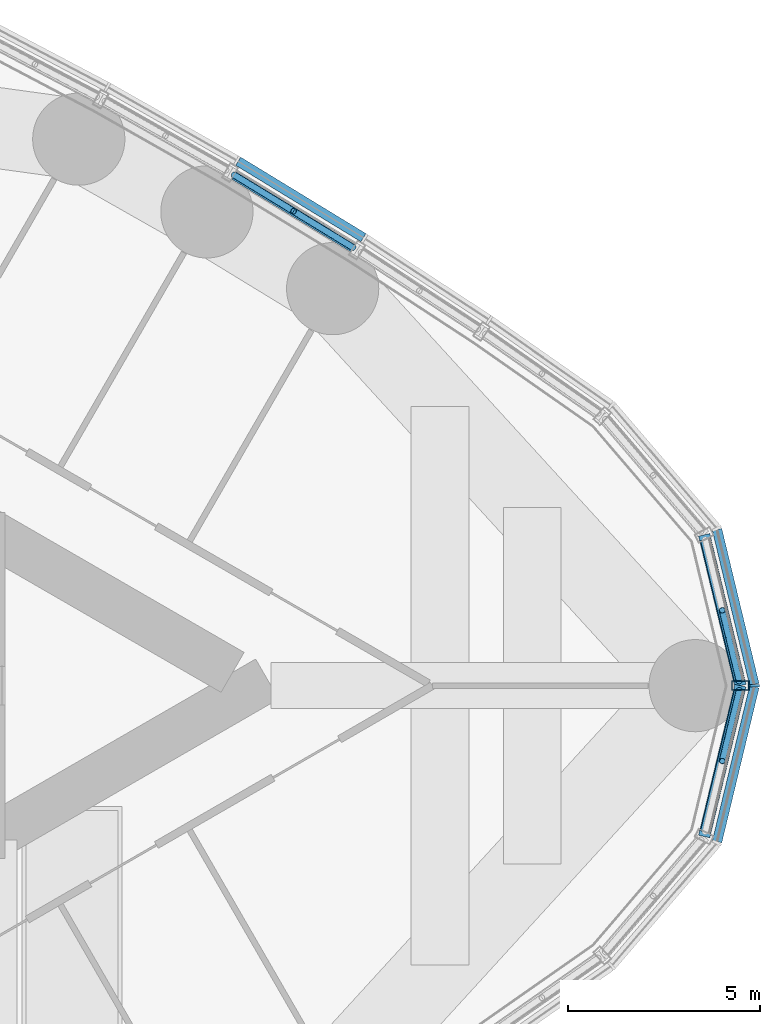
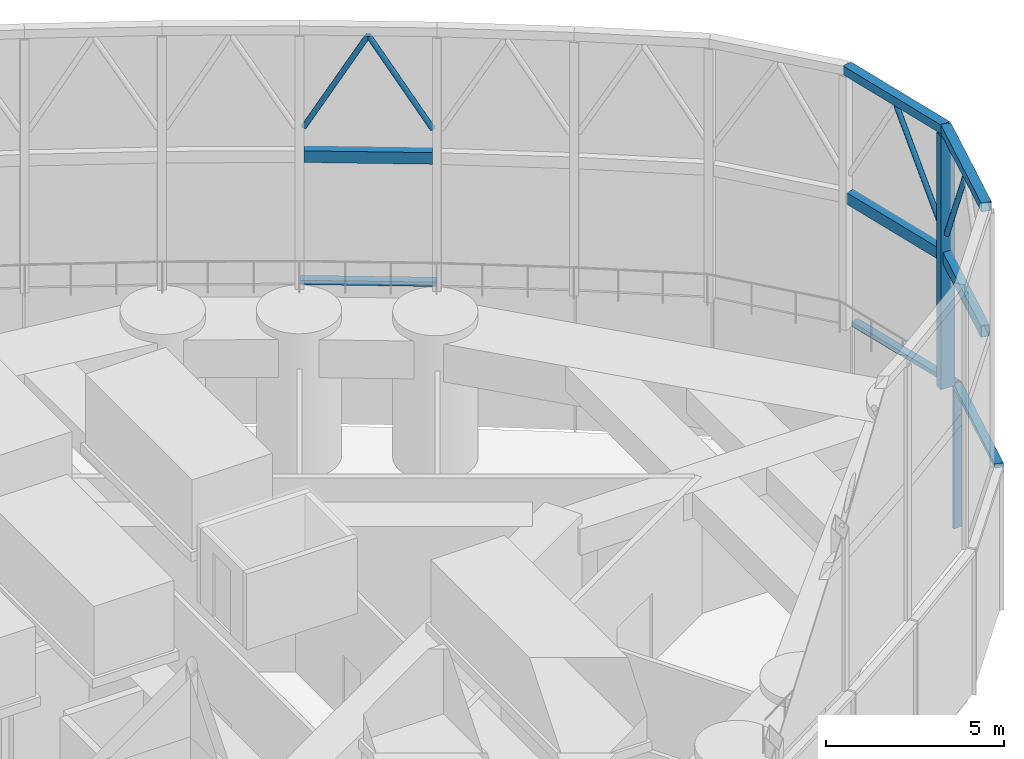
# One storey, part 21 of 33: 14 members, 2 elements without a shape of their own.
"""IFC4 building model written with IfcOpenShell, lengths in metres."""

from ifc_helpers import new_model, si_unit, direction, frame, origin, origin_2d, place, context, subcontext, project, spatial, rectangle, hollow_rectangle, hollow_circle, extrude, material, material_profile, profile_set, type_object, element, aggregate, save


model = new_model("IFC4")

# Units and contexts
model_context = context("Model", 3, precision=1e-05, world=origin(), true_north=direction((0.0, 1.0)))
body_context = subcontext(model_context, "Body", "Model", "MODEL_VIEW")
ifc_project = project(units=[si_unit("LENGTHUNIT", "METRE"), si_unit("AREAUNIT", "SQUARE_METRE"), si_unit("VOLUMEUNIT", "CUBIC_METRE"), si_unit("PLANEANGLEUNIT", "RADIAN"), si_unit("MASSUNIT", "GRAM", prefix="KILO")], contexts=[model_context])

# Site, building, storey
site_placement = place(None, origin())
site = spatial("IfcSite", under=ifc_project, at=site_placement, CompositionType="ELEMENT")
building_placement = place(site_placement, origin())
building = spatial("IfcBuilding", under=site, at=building_placement, Name="Lancet Gate Hotel", CompositionType="ELEMENT")
storey_placement = place(building_placement, frame((0.0, 0.0, 268.300048828125)))
storey = spatial("IfcBuildingStorey", under=building, at=storey_placement, Name="L70", CompositionType="ELEMENT", Elevation=268.300048828125)

# Curtain wall, members
ifc_material_1 = material(Name="Aluminium curtain wall", Category="aluminium")
curtain_wall_type_1 = type_object("IfcCurtainWallType", Name="Lantern crown glazing", PredefinedType="USERDEFINED", material=ifc_material_1)
curtain_wall_1_placement = place(storey_placement, origin())
curtain_wall_1 = element("IfcCurtainWall", 1, at=curtain_wall_1_placement, inside=storey, type_object=curtain_wall_type_1, Name="T2 L70 curtain wall 1", ObjectType="LANTERN GLAZING", PredefinedType="USERDEFINED")
ifc_material_2 = material(Name="Aluminium mullion", Category="aluminium")
ifc_material_profile_1 = material_profile(ifc_material_2, rectangle(XDim=0.06494140625, YDim=0.25, at=origin_2d()), Name="MULLION 65x250")
ifc_profile_set_1 = profile_set([ifc_material_profile_1], Name="Aluminium mullion")
member_type_1 = type_object("IfcMemberType", Name="Aluminium mullion 65x250", PredefinedType="MULLION", material=ifc_profile_set_1)
member_1_placement = place(storey_placement, frame((64.09130859375, 0.0, 0.0), z_axis=(0.0, 0.0, 1.0), x_axis=(0.0, 1.0, 0.0)))
member_1 = element("IfcMember", 2, at=member_1_placement, type_object=member_type_1, Name="T2 L70 curtain wall 1 mullion 14", PredefinedType="MULLION", context=body_context, shape_type="SweptSolid", body=[
    extrude(rectangle(XDim=0.06494140625, YDim=0.25, at=origin_2d()), origin(), (0.0, 0.0, 1.0), 5.0),
])
ifc_material_3 = material(Name="Aluminium transom", Category="aluminium")
ifc_material_profile_2 = material_profile(ifc_material_3, rectangle(XDim=0.25, YDim=0.14990234375, at=origin_2d()), Name="TRANSOM 250x150")
ifc_profile_set_2 = profile_set([ifc_material_profile_2], Name="Aluminium transom")
member_type_2 = type_object("IfcMemberType", Name="Aluminium transom 250x150", PredefinedType="USERDEFINED", material=ifc_profile_set_2)
member_2_placement = place(storey_placement, frame((63.114013671875, -4.06201171875, 4.925048828125), z_axis=(0.233920855872, 0.972255641891, 0.0), x_axis=(-0.972255641891, 0.233920855872, 0.0)))
member_2 = element("IfcMember", 3, at=member_2_placement, type_object=member_type_2, Name="T2 L70 curtain wall 1 transom 13", ObjectType="TRANSOM", PredefinedType="USERDEFINED", context=body_context, shape_type="SweptSolid", body=[
    extrude(rectangle(XDim=0.25, YDim=0.14990234375, at=origin_2d()), origin(), (0.0, 0.0, 1.0), 4.1455078125),
])
member_3_placement = place(storey_placement, frame((64.083740234375, 0.031494140625, 4.925048828125), z_axis=(-0.233920855872, 0.972255641891, 0.0), x_axis=(-0.972255641891, -0.233920855872, 0.0)))
member_3 = element("IfcMember", 4, at=member_3_placement, type_object=member_type_2, Name="T2 L70 curtain wall 1 transom 14", ObjectType="TRANSOM", PredefinedType="USERDEFINED", context=body_context, shape_type="SweptSolid", body=[
    extrude(rectangle(XDim=0.25, YDim=0.14990234375, at=origin_2d()), origin(), (0.0, 0.0, 1.0), 4.1455078125),
])
member_4_placement = place(storey_placement, frame((53.907958984375, 11.661376953125, 4.925048828125), z_axis=(-0.853638798527, 0.520865435261, 0.0), x_axis=(-0.520865435261, -0.853638798527, 0.0)))
member_4 = element("IfcMember", 5, at=member_4_placement, type_object=member_type_2, Name="T2 L70 curtain wall 1 transom 18", ObjectType="TRANSOM", PredefinedType="USERDEFINED", context=body_context, shape_type="SweptSolid", body=[
    extrude(rectangle(XDim=0.25, YDim=0.14990234375, at=origin_2d()), origin(), (0.0, 0.0, 1.0), 3.818603515625),
])
aggregate(curtain_wall_1, [member_1, member_2, member_3, member_4])

ifc_material_4 = material(Name="Steel framed lantern screen", Category="steel")
curtain_wall_type_2 = type_object("IfcCurtainWallType", Name="Lantern screen", PredefinedType="USERDEFINED", material=ifc_material_4)
curtain_wall_2_placement = place(storey_placement, origin())
curtain_wall_2 = element("IfcCurtainWall", 6, at=curtain_wall_2_placement, inside=storey, type_object=curtain_wall_type_2, Name="T2 lantern screen 1", ObjectType="LANTERN SCREEN", PredefinedType="USERDEFINED")
ifc_material_5 = material(Name="Steel S355", Category="steel")
ifc_material_profile_3 = material_profile(ifc_material_5, hollow_rectangle(XDim=0.300048828125, YDim=0.300048828125, WallThickness=0.012451171875, at=origin_2d()), Name="RHS 300x300x12.5")
ifc_profile_set_3 = profile_set([ifc_material_profile_3], Name="Steel S355")
member_type_3 = type_object("IfcMemberType", Name="Lantern cap beam RHS 300x300x12.5", PredefinedType="USERDEFINED", material=ifc_profile_set_3)
member_5_placement = place(storey_placement, frame((62.77685546875, -3.92529296875, 13.849853515625), z_axis=(0.233903529457, 0.972259810394, 0.0), x_axis=(-0.972259810394, 0.233903529457, 0.0)))
member_5 = element("IfcMember", 7, at=member_5_placement, type_object=member_type_3, Name="T2 lantern screen 1 cap 13", ObjectType="LANTERN FRAME", PredefinedType="USERDEFINED", context=body_context, shape_type="SweptSolid", body=[
    extrude(hollow_rectangle(XDim=0.300048828125, YDim=0.300048828125, WallThickness=0.012451171875, at=origin_2d()), origin(), (0.0, 0.0, 1.0), 4.037353515625),
])
member_6_placement = place(storey_placement, frame((63.72119140625, 0.0, 13.849853515625), z_axis=(-0.233903529457, 0.972259810394, 0.0), x_axis=(-0.972259810394, -0.233903529457, 0.0)))
member_6 = element("IfcMember", 8, at=member_6_placement, type_object=member_type_3, Name="T2 lantern screen 1 cap 14", ObjectType="LANTERN FRAME", PredefinedType="USERDEFINED", context=body_context, shape_type="SweptSolid", body=[
    extrude(hollow_rectangle(XDim=0.300048828125, YDim=0.300048828125, WallThickness=0.012451171875, at=origin_2d()), origin(), (0.0, 0.0, 1.0), 4.037353515625),
])
ifc_material_6 = material(Name="Steel S355", Category="steel")
ifc_material_profile_4 = material_profile(ifc_material_6, hollow_rectangle(XDim=0.25, YDim=0.449951171875, WallThickness=0.01611328125, at=origin_2d()), Name="RHS 450x250x16")
ifc_profile_set_4 = profile_set([ifc_material_profile_4], Name="Steel S355")
member_type_4 = type_object("IfcMemberType", Name="Lantern frame post RHS 450x250x16", PredefinedType="USERDEFINED", material=ifc_profile_set_4)
member_7_placement = place(storey_placement, frame((63.72119140625, 0.0, 5.0), z_axis=(0.0, 0.0, 1.0), x_axis=(0.0, 1.0, 0.0)))
member_7 = element("IfcMember", 9, at=member_7_placement, type_object=member_type_4, Name="T2 lantern screen 1 frame post 14", ObjectType="LANTERN FRAME", PredefinedType="USERDEFINED", context=body_context, shape_type="SweptSolid", body=[
    extrude(hollow_rectangle(XDim=0.25, YDim=0.449951171875, WallThickness=0.01611328125, at=origin_2d()), origin(), (0.0, 0.0, 1.0), 8.699951171875),
])
ifc_material_7 = material(Name="Steel S355", Category="steel")
ifc_material_profile_5 = material_profile(ifc_material_7, hollow_circle(Radius=0.084228515625, WallThickness=0.008056640625, at=origin_2d()), Name="CHS 168.3x8.0")
ifc_profile_set_5 = profile_set([ifc_material_profile_5], Name="Steel S355")
member_type_5 = type_object("IfcMemberType", Name="Lantern lancet head CHS 168.3x8", PredefinedType="USERDEFINED", material=ifc_profile_set_5)
member_8_placement = place(storey_placement, frame((63.69189453125, -0.12158203125, 10.300048828125), z_axis=(-0.115986732092, -0.48216976114, 0.868365936354), x_axis=(0.972265456151, -0.233880060663, 0.0)))
member_8 = element("IfcMember", 10, at=member_8_placement, type_object=member_type_5, Name="T2 lantern screen 1 lancet head 13B", ObjectType="LANTERN FRAME", PredefinedType="USERDEFINED", context=body_context, shape_type="SweptSolid", body=[
    extrude(hollow_circle(Radius=0.084228515625, WallThickness=0.008056640625, at=origin_2d()), origin(), (0.0, 0.0, 1.0), 3.818359375),
])
member_9_placement = place(storey_placement, frame((63.69189453125, 0.12158203125, 10.300048828125), z_axis=(-0.115986732092, 0.48216976114, 0.868365936354), x_axis=(-0.972265456151, -0.233880060663, 0.0)))
member_9 = element("IfcMember", 11, at=member_9_placement, type_object=member_type_5, Name="T2 lantern screen 1 lancet head 14A", ObjectType="LANTERN FRAME", PredefinedType="USERDEFINED", context=body_context, shape_type="SweptSolid", body=[
    extrude(hollow_circle(Radius=0.084228515625, WallThickness=0.008056640625, at=origin_2d()), origin(), (0.0, 0.0, 1.0), 3.818359375),
])
member_10_placement = place(storey_placement, frame((53.63671875, 11.405029296875, 10.43994140625), z_axis=(-0.422902434125, 0.258095358897, 0.868642801689), x_axis=(-0.520942884594, -0.853591536387, 0.0)))
member_10 = element("IfcMember", 12, at=member_10_placement, type_object=member_type_5, Name="T2 lantern screen 1 lancet head 18A", ObjectType="LANTERN FRAME", PredefinedType="USERDEFINED", context=body_context, shape_type="SweptSolid", body=[
    extrude(hollow_circle(Radius=0.084228515625, WallThickness=0.008056640625, at=origin_2d()), origin(), (0.0, 0.0, 1.0), 3.656005859375),
])
member_11_placement = place(storey_placement, frame((50.544677734375, 13.2919921875, 10.43994140625), z_axis=(0.422854884583, -0.258040314913, 0.868682302378), x_axis=(0.520904605391, 0.853614896826, 0.0)))
member_11 = element("IfcMember", 13, at=member_11_placement, type_object=member_type_5, Name="T2 lantern screen 1 lancet head 18B", ObjectType="LANTERN FRAME", PredefinedType="USERDEFINED", context=body_context, shape_type="SweptSolid", body=[
    extrude(hollow_circle(Radius=0.084228515625, WallThickness=0.008056640625, at=origin_2d()), origin(), (0.0, 0.0, 1.0), 3.65576171875),
])
ifc_material_8 = material(Name="Steel S355", Category="steel")
ifc_material_profile_6 = material_profile(ifc_material_8, hollow_rectangle(XDim=0.25, YDim=0.39990234375, WallThickness=0.012451171875, at=origin_2d()), Name="RHS 400x250x12.5")
ifc_profile_set_6 = profile_set([ifc_material_profile_6], Name="Steel S355")
member_type_6 = type_object("IfcMemberType", Name="Lantern ring beam RHS 400x250x12.5", PredefinedType="USERDEFINED", material=ifc_profile_set_6)
member_12_placement = place(storey_placement, frame((62.805908203125, -3.8037109375, 9.5), z_axis=(0.233940998328, 0.972250795475, 0.0), x_axis=(-0.972250795475, 0.233940998328, 0.0)))
member_12 = element("IfcMember", 14, at=member_12_placement, type_object=member_type_6, Name="T2 lantern screen 1 ring 13", ObjectType="LANTERN FRAME", PredefinedType="USERDEFINED", context=body_context, shape_type="SweptSolid", body=[
    extrude(hollow_rectangle(XDim=0.25, YDim=0.39990234375, WallThickness=0.012451171875, at=origin_2d()), origin(), (0.0, 0.0, 1.0), 3.787109375),
])
member_13_placement = place(storey_placement, frame((63.69189453125, 0.12158203125, 9.5), z_axis=(-0.233940998328, 0.972250795475, 0.0), x_axis=(-0.972250795475, -0.233940998328, 0.0)))
member_13 = element("IfcMember", 15, at=member_13_placement, type_object=member_type_6, Name="T2 lantern screen 1 ring 14", ObjectType="LANTERN FRAME", PredefinedType="USERDEFINED", context=body_context, shape_type="SweptSolid", body=[
    extrude(hollow_rectangle(XDim=0.25, YDim=0.39990234375, WallThickness=0.012451171875, at=origin_2d()), origin(), (0.0, 0.0, 1.0), 3.787109375),
])
member_14_placement = place(storey_placement, frame((53.63671875, 11.405029296875, 9.5), z_axis=(-0.853603215739, 0.520923746896, 0.0), x_axis=(-0.520923746896, -0.853603215739, 0.0)))
member_14 = element("IfcMember", 16, at=member_14_placement, type_object=member_type_6, Name="T2 lantern screen 1 ring 18", ObjectType="LANTERN FRAME", PredefinedType="USERDEFINED", context=body_context, shape_type="SweptSolid", body=[
    extrude(hollow_rectangle(XDim=0.25, YDim=0.39990234375, WallThickness=0.012451171875, at=origin_2d()), origin(), (0.0, 0.0, 1.0), 3.622314453125),
])
aggregate(curtain_wall_2, [member_7, member_5, member_12, member_8, member_6, member_13, member_9, member_14, member_10, member_11])

save(model, "model.ifc")
